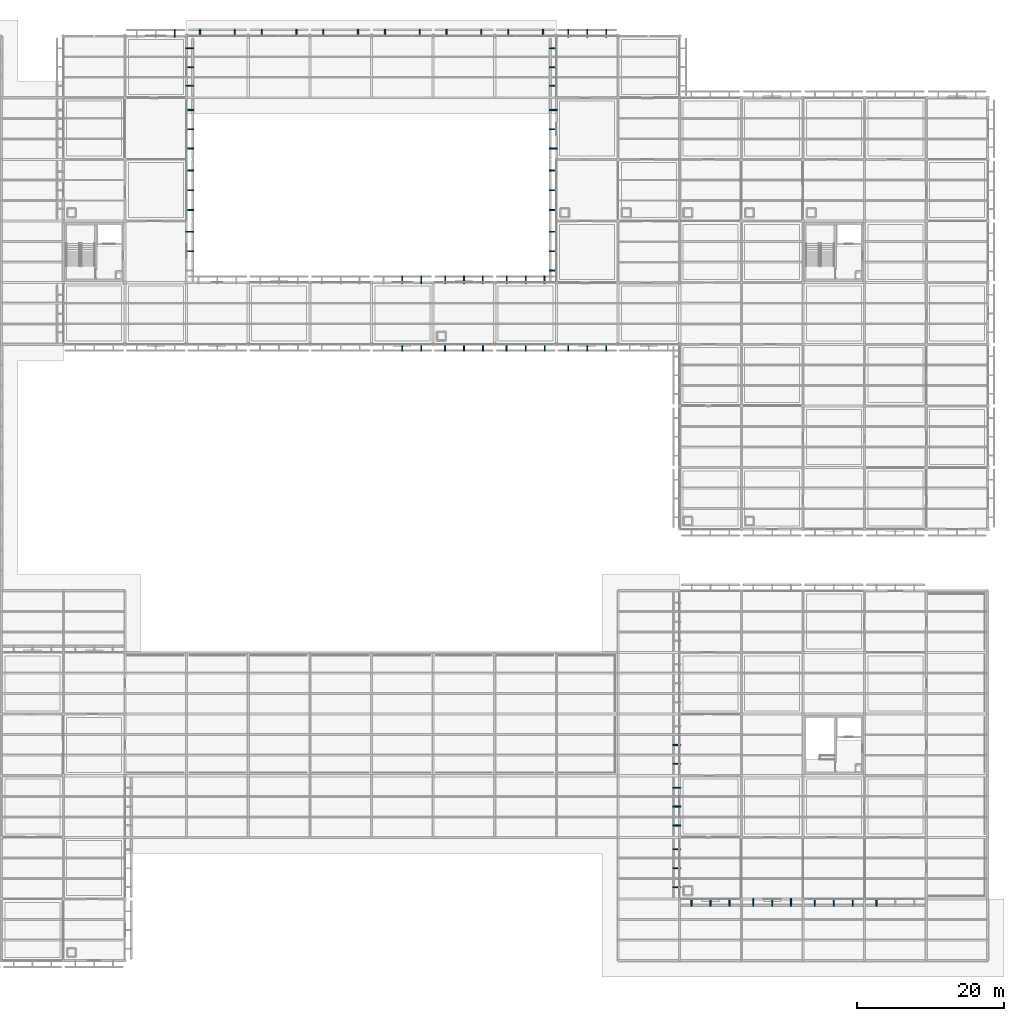
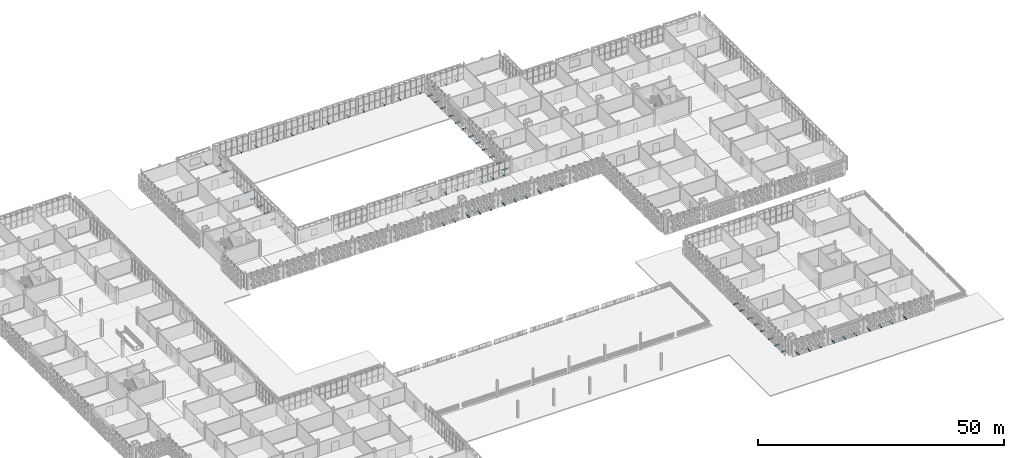
# One storey, part 110 of 166: 76 discrete accessories.
"""IFC4 building model written with IfcOpenShell, lengths in metres."""

from ifc_helpers import new_model, si_unit, direction, frame, origin, origin_2d, place, context, subcontext, project, spatial, rectangle, extrude, material, type_object, element, save


model = new_model("IFC4")

# Units and contexts
model_context = context("Model", 3, precision=1e-05, world=origin(), true_north=direction((0.0, 1.0)))
body_context = subcontext(model_context, "Body", "Model", "MODEL_VIEW")
ifc_project = project(units=[si_unit("LENGTHUNIT", "METRE"), si_unit("AREAUNIT", "SQUARE_METRE"), si_unit("VOLUMEUNIT", "CUBIC_METRE"), si_unit("PLANEANGLEUNIT", "RADIAN"), si_unit("MASSUNIT", "GRAM", prefix="KILO")], contexts=[model_context])

# Site, building, storey
site_placement = place(None, origin())
site = spatial("IfcSite", under=ifc_project, at=site_placement, CompositionType="ELEMENT")
building_placement = place(site_placement, origin())
building = spatial("IfcBuilding", under=site, at=building_placement, Name="Varnapada Polytechnic", CompositionType="ELEMENT")
storey_placement = place(building_placement, frame((0.0, 0.0, 9.60009765625)))
storey = spatial("IfcBuildingStorey", under=building, at=storey_placement, Name="L02", CompositionType="ELEMENT", Elevation=9.60009765625)

# Discrete accessories
ifc_material = material(Name="Steel S355", Category="steel")
discrete_accessory_type = type_object("IfcDiscreteAccessoryType", Name="Screen Outrigger Bracket BRK-01", PredefinedType="BRACKET", material=ifc_material)
for number, where, z_axis, x_axis, name in (
    (1, (67.625, 99.322265625, -0.05029296875), (0.0, 0.0, 1.0), (0.0, -1.0, 0.0), "L02 terracotta screen outrigger bracket 53.1"),
    (2, (67.625, 96.695068359375, -0.05029296875), (0.0, 0.0, 1.0), (0.0, -1.0, 0.0), "L02 terracotta screen outrigger bracket 53.2"),
    (3, (67.625, 107.68798828125, -0.05029296875), (0.0, 0.0, 1.0), (0.0, -1.0, 0.0), "L02 terracotta screen outrigger bracket 54.1"),
    (4, (67.625, 105.0, -0.05029296875), (0.0, 0.0, 1.0), (0.0, -1.0, 0.0), "L02 terracotta screen outrigger bracket 54.2"),
    (5, (67.625, 102.31201171875, -0.05029296875), (0.0, 0.0, 1.0), (0.0, -1.0, 0.0), "L02 terracotta screen outrigger bracket 54.3"),
    (6, (67.625, 115.93212890625, -0.05029296875), (0.0, 0.0, 1.0), (0.0, -1.0, 0.0), "L02 terracotta screen outrigger bracket 55.1"),
    (7, (67.625, 113.304931640625, -0.05029296875), (0.0, 0.0, 1.0), (0.0, -1.0, 0.0), "L02 terracotta screen outrigger bracket 55.2"),
    (8, (67.625, 110.677734375, -0.05029296875), (0.0, 0.0, 1.0), (0.0, -1.0, 0.0), "L02 terracotta screen outrigger bracket 55.3"),
    (9, (65.592041015625, 126.425048828125, -0.05029296875), (0.0, 0.0, 1.0), (1.0, 0.0, 0.0), "L02 terracotta screen outrigger bracket 56.3"),
    (10, (67.625, 124.337646484375, -0.05029296875), (0.0, 0.0, 1.0), (0.0, -1.0, 0.0), "L02 terracotta screen outrigger bracket 57.1"),
    (11, (67.625, 121.782470703125, -0.05029296875), (0.0, 0.0, 1.0), (0.0, -1.0, 0.0), "L02 terracotta screen outrigger bracket 57.2"),
    (12, (67.625, 119.227294921875, -0.05029296875), (0.0, 0.0, 1.0), (0.0, -1.0, 0.0), "L02 terracotta screen outrigger bracket 57.3"),
    (13, (99.19189453125, 83.574951171875, -0.05029296875), (0.0, 0.0, 1.0), (-1.0, 0.0, 0.0), "L02 terracotta screen outrigger bracket 64.1"),
    (14, (96.60009765625, 83.574951171875, -0.05029296875), (0.0, 0.0, 1.0), (-1.0, 0.0, 0.0), "L02 terracotta screen outrigger bracket 64.2"),
    (15, (96.60498046875, 92.824951171875, -0.05029296875), (0.0, 0.0, 1.0), (1.0, 0.0, 0.0), "L02 terracotta screen outrigger bracket 65.2"),
    (16, (99.168212890625, 92.824951171875, -0.05029296875), (0.0, 0.0, 1.0), (1.0, 0.0, 0.0), "L02 terracotta screen outrigger bracket 65.3"),
    (17, (107.592041015625, 83.574951171875, -0.05029296875), (0.0, 0.0, 1.0), (-1.0, 0.0, 0.0), "L02 terracotta screen outrigger bracket 66.1"),
    (18, (105.0, 83.574951171875, -0.05029296875), (0.0, 0.0, 1.0), (-1.0, 0.0, 0.0), "L02 terracotta screen outrigger bracket 66.2"),
    (19, (102.407958984375, 83.574951171875, -0.05029296875), (0.0, 0.0, 1.0), (-1.0, 0.0, 0.0), "L02 terracotta screen outrigger bracket 66.3"),
    (20, (102.431884765625, 92.824951171875, -0.05029296875), (0.0, 0.0, 1.0), (1.0, 0.0, 0.0), "L02 terracotta screen outrigger bracket 67.1"),
    (21, (104.9951171875, 92.824951171875, -0.05029296875), (0.0, 0.0, 1.0), (1.0, 0.0, 0.0), "L02 terracotta screen outrigger bracket 67.2"),
    (22, (107.55810546875, 92.824951171875, -0.05029296875), (0.0, 0.0, 1.0), (1.0, 0.0, 0.0), "L02 terracotta screen outrigger bracket 67.3"),
    (23, (115.991943359375, 83.574951171875, -0.05029296875), (0.0, 0.0, 1.0), (-1.0, 0.0, 0.0), "L02 terracotta screen outrigger bracket 68.1"),
    (24, (113.39990234375, 83.574951171875, -0.05029296875), (0.0, 0.0, 1.0), (-1.0, 0.0, 0.0), "L02 terracotta screen outrigger bracket 68.2"),
    (25, (110.80810546875, 83.574951171875, -0.05029296875), (0.0, 0.0, 1.0), (-1.0, 0.0, 0.0), "L02 terracotta screen outrigger bracket 68.3"),
    (26, (110.841796875, 92.824951171875, -0.05029296875), (0.0, 0.0, 1.0), (1.0, 0.0, 0.0), "L02 terracotta screen outrigger bracket 69.1"),
    (27, (113.405029296875, 92.824951171875, -0.05029296875), (0.0, 0.0, 1.0), (1.0, 0.0, 0.0), "L02 terracotta screen outrigger bracket 69.2"),
    (28, (115.96826171875, 92.824951171875, -0.05029296875), (0.0, 0.0, 1.0), (1.0, 0.0, 0.0), "L02 terracotta screen outrigger bracket 69.3"),
    (29, (124.39208984375, 83.574951171875, -0.05029296875), (0.0, 0.0, 1.0), (-1.0, 0.0, 0.0), "L02 terracotta screen outrigger bracket 70.1"),
    (30, (121.800048828125, 83.574951171875, -0.05029296875), (0.0, 0.0, 1.0), (-1.0, 0.0, 0.0), "L02 terracotta screen outrigger bracket 70.2"),
    (31, (119.2080078125, 83.574951171875, -0.05029296875), (0.0, 0.0, 1.0), (-1.0, 0.0, 0.0), "L02 terracotta screen outrigger bracket 70.3"),
    (32, (117.175048828125, 94.06787109375, -0.05029296875), (0.0, 0.0, 1.0), (0.0, 1.0, 0.0), "L02 terracotta screen outrigger bracket 71.1"),
    (33, (117.175048828125, 96.695068359375, -0.05029296875), (0.0, 0.0, 1.0), (0.0, 1.0, 0.0), "L02 terracotta screen outrigger bracket 71.2"),
    (34, (117.175048828125, 99.322265625, -0.05029296875), (0.0, 0.0, 1.0), (0.0, 1.0, 0.0), "L02 terracotta screen outrigger bracket 71.3"),
    (35, (117.175048828125, 102.31201171875, -0.05029296875), (0.0, 0.0, 1.0), (0.0, 1.0, 0.0), "L02 terracotta screen outrigger bracket 72.1"),
    (36, (117.175048828125, 105.0, -0.05029296875), (0.0, 0.0, 1.0), (0.0, 1.0, 0.0), "L02 terracotta screen outrigger bracket 72.2"),
    (37, (117.175048828125, 107.68798828125, -0.05029296875), (0.0, 0.0, 1.0), (0.0, 1.0, 0.0), "L02 terracotta screen outrigger bracket 72.3"),
    (38, (117.175048828125, 110.6796875, -0.05029296875), (0.0, 0.0, 1.0), (0.0, 1.0, 0.0), "L02 terracotta screen outrigger bracket 73.1"),
    (39, (117.175048828125, 113.31005859375, -0.05029296875), (0.0, 0.0, 1.0), (0.0, 1.0, 0.0), "L02 terracotta screen outrigger bracket 73.2"),
    (40, (117.175048828125, 115.9404296875, -0.05029296875), (0.0, 0.0, 1.0), (0.0, 1.0, 0.0), "L02 terracotta screen outrigger bracket 73.3"),
    (41, (119.2080078125, 126.425048828125, -0.05029296875), (0.0, 0.0, 1.0), (1.0, 0.0, 0.0), "L02 terracotta screen outrigger bracket 74.1"),
    (42, (121.800048828125, 126.425048828125, -0.05029296875), (0.0, 0.0, 1.0), (1.0, 0.0, 0.0), "L02 terracotta screen outrigger bracket 74.2"),
    (43, (124.39208984375, 126.425048828125, -0.05029296875), (0.0, 0.0, 1.0), (1.0, 0.0, 0.0), "L02 terracotta screen outrigger bracket 74.3"),
    (44, (117.175048828125, 119.218994140625, -0.05029296875), (0.0, 0.0, 1.0), (0.0, 1.0, 0.0), "L02 terracotta screen outrigger bracket 75.1"),
    (45, (117.175048828125, 121.777587890625, -0.05029296875), (0.0, 0.0, 1.0), (0.0, 1.0, 0.0), "L02 terracotta screen outrigger bracket 75.2"),
    (46, (117.175048828125, 124.3359375, -0.05029296875), (0.0, 0.0, 1.0), (0.0, 1.0, 0.0), "L02 terracotta screen outrigger bracket 75.3"),
    (47, (141.17919921875, 7.97509765625, -0.05029296875), (0.0, 0.0, 1.0), (-1.0, 0.0, 0.0), "L02 terracotta screen outrigger bracket 79.1"),
    (48, (138.60009765625, 7.97509765625, -0.05029296875), (0.0, 0.0, 1.0), (-1.0, 0.0, 0.0), "L02 terracotta screen outrigger bracket 79.2"),
    (49, (136.020751953125, 7.97509765625, -0.05029296875), (0.0, 0.0, 1.0), (-1.0, 0.0, 0.0), "L02 terracotta screen outrigger bracket 79.3"),
    (50, (133.97509765625, 10.01904296875, -0.05029296875), (0.0, 0.0, 1.0), (0.0, 1.0, 0.0), "L02 terracotta screen outrigger bracket 80.1"),
    (51, (133.97509765625, 12.594970703125, -0.05029296875), (0.0, 0.0, 1.0), (0.0, 1.0, 0.0), "L02 terracotta screen outrigger bracket 80.2"),
    (52, (133.97509765625, 15.1708984375, -0.05029296875), (0.0, 0.0, 1.0), (0.0, 1.0, 0.0), "L02 terracotta screen outrigger bracket 80.3"),
    (53, (133.97509765625, 18.428955078125, -0.05029296875), (0.0, 0.0, 1.0), (0.0, 1.0, 0.0), "L02 terracotta screen outrigger bracket 81.1"),
    (54, (133.97509765625, 21.0048828125, -0.05029296875), (0.0, 0.0, 1.0), (0.0, 1.0, 0.0), "L02 terracotta screen outrigger bracket 81.2"),
    (55, (133.97509765625, 23.5810546875, -0.05029296875), (0.0, 0.0, 1.0), (0.0, 1.0, 0.0), "L02 terracotta screen outrigger bracket 81.3"),
    (56, (133.97509765625, 26.819091796875, -0.05029296875), (0.0, 0.0, 1.0), (0.0, 1.0, 0.0), "L02 terracotta screen outrigger bracket 82.1"),
    (57, (133.97509765625, 29.39501953125, -0.05029296875), (0.0, 0.0, 1.0), (0.0, 1.0, 0.0), "L02 terracotta screen outrigger bracket 82.2"),
    (58, (149.5791015625, 7.97509765625, -0.05029296875), (0.0, 0.0, 1.0), (-1.0, 0.0, 0.0), "L02 terracotta screen outrigger bracket 91.1"),
    (59, (147.0, 7.97509765625, -0.05029296875), (0.0, 0.0, 1.0), (-1.0, 0.0, 0.0), "L02 terracotta screen outrigger bracket 91.2"),
    (60, (144.4208984375, 7.97509765625, -0.05029296875), (0.0, 0.0, 1.0), (-1.0, 0.0, 0.0), "L02 terracotta screen outrigger bracket 91.3"),
    (61, (157.979248046875, 7.97509765625, -0.05029296875), (0.0, 0.0, 1.0), (-1.0, 0.0, 0.0), "L02 terracotta screen outrigger bracket 95.1"),
    (62, (155.39990234375, 7.97509765625, -0.05029296875), (0.0, 0.0, 1.0), (-1.0, 0.0, 0.0), "L02 terracotta screen outrigger bracket 95.2"),
    (63, (152.82080078125, 7.97509765625, -0.05029296875), (0.0, 0.0, 1.0), (-1.0, 0.0, 0.0), "L02 terracotta screen outrigger bracket 95.3"),
    (64, (161.220703125, 7.97509765625, -0.05029296875), (0.0, 0.0, 1.0), (-1.0, 0.0, 0.0), "L02 terracotta screen outrigger bracket 99.3"),
):
    element("IfcDiscreteAccessory", number, at=place(storey_placement, frame(where, z_axis=z_axis, x_axis=x_axis)), inside=storey, type_object=discrete_accessory_type, Name=name, PredefinedType="BRACKET", context=body_context, shape_type="SweptSolid", body=[
        extrude(rectangle(XDim=0.159912109375, YDim=1.090087890625, at=origin_2d()), origin(), (0.0, 0.0, 1.0), 0.219970703125),
    ])
for number, where, z_axis, x_axis, name in (
    (65, (69.030029296875, 126.419921875, -0.0302734375), (0.0, 0.0, 1.0), (1.0, 0.0, 0.0), "L02 high-bay workshop screen bracket 9.1"),
    (66, (73.77001953125, 126.419921875, -0.0302734375), (0.0, 0.0, 1.0), (1.0, 0.0, 0.0), "L02 high-bay workshop screen bracket 9.2"),
    (67, (77.429931640625, 126.419921875, -0.0302734375), (0.0, 0.0, 1.0), (1.0, 0.0, 0.0), "L02 high-bay workshop screen bracket 10.1"),
    (68, (82.169921875, 126.419921875, -0.0302734375), (0.0, 0.0, 1.0), (1.0, 0.0, 0.0), "L02 high-bay workshop screen bracket 10.2"),
    (69, (85.830078125, 126.419921875, -0.0302734375), (0.0, 0.0, 1.0), (1.0, 0.0, 0.0), "L02 high-bay workshop screen bracket 11.1"),
    (70, (90.570068359375, 126.419921875, -0.0302734375), (0.0, 0.0, 1.0), (1.0, 0.0, 0.0), "L02 high-bay workshop screen bracket 11.2"),
    (71, (94.22998046875, 126.419921875, -0.0302734375), (0.0, 0.0, 1.0), (1.0, 0.0, 0.0), "L02 high-bay workshop screen bracket 12.1"),
    (72, (98.969970703125, 126.419921875, -0.0302734375), (0.0, 0.0, 1.0), (1.0, 0.0, 0.0), "L02 high-bay workshop screen bracket 12.2"),
    (73, (102.6298828125, 126.419921875, -0.0302734375), (0.0, 0.0, 1.0), (1.0, 0.0, 0.0), "L02 high-bay workshop screen bracket 13.1"),
    (74, (107.3701171875, 126.419921875, -0.0302734375), (0.0, 0.0, 1.0), (1.0, 0.0, 0.0), "L02 high-bay workshop screen bracket 13.2"),
    (75, (111.030029296875, 126.419921875, -0.0302734375), (0.0, 0.0, 1.0), (1.0, 0.0, 0.0), "L02 high-bay workshop screen bracket 14.1"),
    (76, (115.77001953125, 126.419921875, -0.0302734375), (0.0, 0.0, 1.0), (1.0, 0.0, 0.0), "L02 high-bay workshop screen bracket 14.2"),
):
    element("IfcDiscreteAccessory", number, at=place(storey_placement, frame(where, z_axis=z_axis, x_axis=x_axis)), inside=storey, type_object=discrete_accessory_type, Name=name, PredefinedType="BRACKET", context=body_context, shape_type="SweptSolid", body=[
        extrude(rectangle(XDim=0.159912109375, YDim=1.06005859375, at=origin_2d()), origin(), (0.0, 0.0, 1.0), 0.219970703125),
    ])

save(model, "model.ifc")
